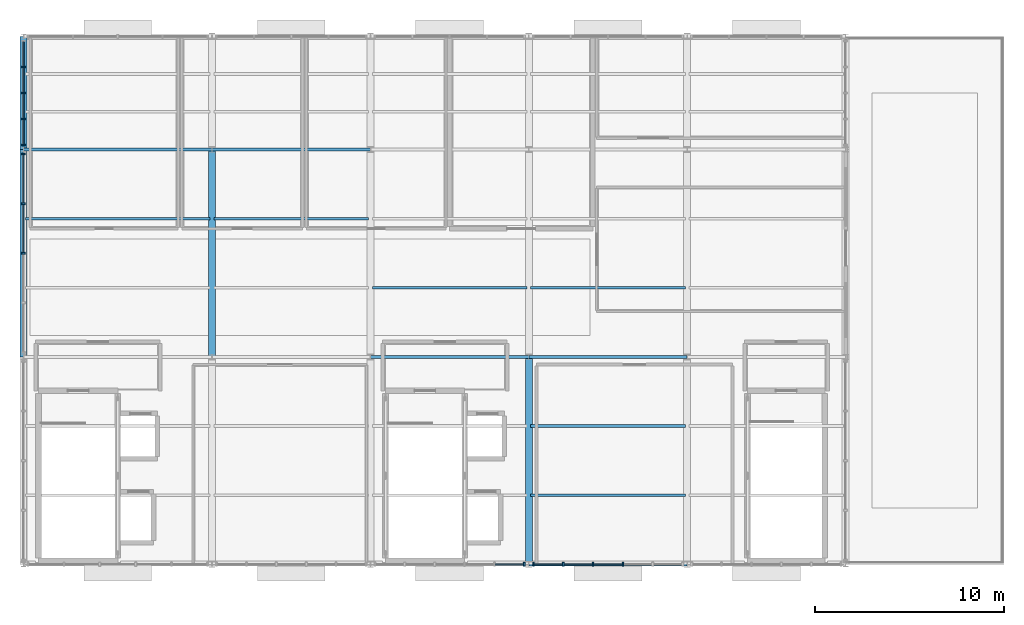
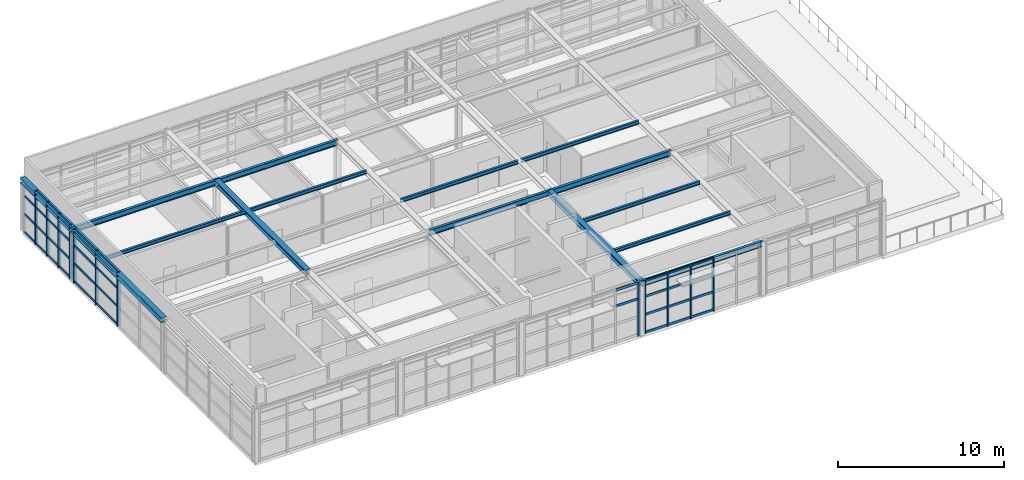
# One storey, part 6 of 18: 49 members, 15 beams, 4 elements without a shape of their own.
"""IFC4 building model written with IfcOpenShell, lengths in metres."""

from ifc_helpers import new_model, si_unit, direction, frame, origin, origin_2d, place, context, subcontext, project, spatial, rectangle, i_section, extrude, material, layer, layer_set, material_profile, profile_set, type_object, element, aggregate, save


model = new_model("IFC4")

# Units and contexts
model_context = context("Model", 3, precision=1e-05, world=origin(), true_north=direction((0.0, 1.0)))
body_context = subcontext(model_context, "Body", "Model", "MODEL_VIEW")
ifc_project = project(units=[si_unit("LENGTHUNIT", "METRE"), si_unit("AREAUNIT", "SQUARE_METRE"), si_unit("VOLUMEUNIT", "CUBIC_METRE"), si_unit("PLANEANGLEUNIT", "RADIAN"), si_unit("MASSUNIT", "GRAM", prefix="KILO")], contexts=[model_context])

# Site, building, storey
site_placement = place(None, origin())
site = spatial("IfcSite", under=ifc_project, at=site_placement, CompositionType="ELEMENT")
building_placement = place(site_placement, origin())
building = spatial("IfcBuilding", under=site, at=building_placement, Name="Sitalva Quay Ferry Terminal", CompositionType="ELEMENT")
storey_placement = place(building_placement, frame((0.0, 0.0, 18.60009765625)))
storey = spatial("IfcBuildingStorey", under=building, at=storey_placement, Name="L05", CompositionType="ELEMENT", Elevation=18.60009765625)

# Beams
ifc_material_1 = material(Name="Structural Steel S355JR", Category="steel")
ifc_material_profile_1 = material_profile(ifc_material_1, i_section(OverallWidth=0.368896484375, OverallDepth=0.35595703125, WebThickness=0.01123046875, FlangeThickness=0.01806640625, FilletRadius=0.014892578125, at=origin_2d()), Name="W360x134")
ifc_profile_set_1 = profile_set([ifc_material_profile_1], Name="Structural Steel S355JR")
beam_type_1 = type_object("IfcBeamType", Name="Beam_W360x134", PredefinedType="BEAM", material=ifc_profile_set_1)
beam_1_placement = place(storey_placement, frame((74.0, 89.0, 3.781982421875), z_axis=(0.0, 1.0, 0.0), x_axis=(-1.0, 0.0, 0.0)))
element("IfcBeam", 1, at=beam_1_placement, inside=storey, type_object=beam_type_1, Name="L05 Primary Y girder 1421", PredefinedType="BEAM", context=body_context, shape_type="SweptSolid", body=[
    extrude(i_section(OverallWidth=0.368896484375, OverallDepth=0.35595703125, WebThickness=0.01123046875, FlangeThickness=0.01806640625, FilletRadius=0.014892578125, at=origin_2d()), origin(), (0.0, 0.0, 1.0), 11.0),
])
beam_2_placement = place(storey_placement, frame((74.0, 100.0, 3.781982421875), z_axis=(0.0, 1.0, 0.0), x_axis=(-1.0, 0.0, 0.0)))
element("IfcBeam", 2, at=beam_2_placement, inside=storey, type_object=beam_type_1, Name="L05 Primary Y girder 1422", PredefinedType="BEAM", context=body_context, shape_type="SweptSolid", body=[
    extrude(i_section(OverallWidth=0.368896484375, OverallDepth=0.35595703125, WebThickness=0.01123046875, FlangeThickness=0.01806640625, FilletRadius=0.014892578125, at=origin_2d()), origin(), (0.0, 0.0, 1.0), 6.0),
])
for number, where, z_axis, x_axis, name in (
    (3, (84.0, 89.0, 3.781982421875), (0.0, 1.0, 0.0), (-1.0, 0.0, 0.0), "L05 Primary Y girder 1424"),
    (4, (100.800048828125, 78.0, 3.781982421875), (0.0, 1.0, 0.0), (-1.0, 0.0, 0.0), "L05 Primary Y girder 1429"),
):
    element("IfcBeam", number, at=place(storey_placement, frame(where, z_axis=z_axis, x_axis=x_axis)), inside=storey, type_object=beam_type_1, Name=name, PredefinedType="BEAM", context=body_context, shape_type="SweptSolid", body=[
        extrude(i_section(OverallWidth=0.368896484375, OverallDepth=0.35595703125, WebThickness=0.01123046875, FlangeThickness=0.01806640625, FilletRadius=0.014892578125, at=origin_2d()), origin(), (0.0, 0.0, 1.0), 11.0),
    ])
ifc_material_2 = material(Name="Structural Steel S355JR", Category="steel")
ifc_material_profile_2 = material_profile(ifc_material_2, i_section(OverallWidth=0.178955078125, OverallDepth=0.409912109375, WebThickness=0.0087890625, FlangeThickness=0.014404296875, FilletRadius=0.012939453125, at=origin_2d()), Name="W410x67")
ifc_profile_set_2 = profile_set([ifc_material_profile_2], Name="Structural Steel S355JR")
beam_type_2 = type_object("IfcBeamType", Name="Beam_W410x67", PredefinedType="BEAM", material=ifc_profile_set_2)
beam_3_placement = place(storey_placement, frame((100.800048828125, 78.0, 3.7548828125), z_axis=(1.0, 0.0, 0.0), x_axis=(0.0, 1.0, 0.0)))
element("IfcBeam", 5, at=beam_3_placement, inside=storey, type_object=beam_type_2, Name="L05 Primary X girder 1403", PredefinedType="BEAM", context=body_context, shape_type="SweptSolid", body=[
    extrude(i_section(OverallWidth=0.178955078125, OverallDepth=0.409912109375, WebThickness=0.0087890625, FlangeThickness=0.014404296875, FilletRadius=0.012939453125, at=origin_2d()), origin(), (0.0, 0.0, 1.0), 8.39990234375),
])
beam_4_placement = place(storey_placement, frame((92.39990234375, 89.0, 3.7548828125), z_axis=(1.0, 0.0, 0.0), x_axis=(0.0, 1.0, 0.0)))
element("IfcBeam", 6, at=beam_4_placement, inside=storey, type_object=beam_type_2, Name="L05 Primary X girder 1407", PredefinedType="BEAM", context=body_context, shape_type="SweptSolid", body=[
    extrude(i_section(OverallWidth=0.178955078125, OverallDepth=0.409912109375, WebThickness=0.0087890625, FlangeThickness=0.014404296875, FilletRadius=0.012939453125, at=origin_2d()), origin(), (0.0, 0.0, 1.0), 8.400146484375),
])
beam_5_placement = place(storey_placement, frame((100.800048828125, 89.0, 3.7548828125), z_axis=(1.0, 0.0, 0.0), x_axis=(0.0, 1.0, 0.0)))
element("IfcBeam", 7, at=beam_5_placement, inside=storey, type_object=beam_type_2, Name="L05 Primary X girder 1408", PredefinedType="BEAM", context=body_context, shape_type="SweptSolid", body=[
    extrude(i_section(OverallWidth=0.178955078125, OverallDepth=0.409912109375, WebThickness=0.0087890625, FlangeThickness=0.014404296875, FilletRadius=0.012939453125, at=origin_2d()), origin(), (0.0, 0.0, 1.0), 8.39990234375),
])
beam_6_placement = place(storey_placement, frame((74.0, 100.0, 3.7548828125), z_axis=(1.0, 0.0, 0.0), x_axis=(0.0, 1.0, 0.0)))
element("IfcBeam", 8, at=beam_6_placement, inside=storey, type_object=beam_type_2, Name="L05 Primary X girder 1410", PredefinedType="BEAM", context=body_context, shape_type="SweptSolid", body=[
    extrude(i_section(OverallWidth=0.178955078125, OverallDepth=0.409912109375, WebThickness=0.0087890625, FlangeThickness=0.014404296875, FilletRadius=0.012939453125, at=origin_2d()), origin(), (0.0, 0.0, 1.0), 10.0),
])
beam_7_placement = place(storey_placement, frame((84.0, 100.0, 3.7548828125), z_axis=(1.0, 0.0, 0.0), x_axis=(0.0, 1.0, 0.0)))
element("IfcBeam", 9, at=beam_7_placement, inside=storey, type_object=beam_type_2, Name="L05 Primary X girder 1411", PredefinedType="BEAM", context=body_context, shape_type="SweptSolid", body=[
    extrude(i_section(OverallWidth=0.178955078125, OverallDepth=0.409912109375, WebThickness=0.0087890625, FlangeThickness=0.014404296875, FilletRadius=0.012939453125, at=origin_2d()), origin(), (0.0, 0.0, 1.0), 8.39990234375),
])
ifc_material_3 = material(Name="Structural Steel S355JR", Category="steel")
ifc_material_profile_3 = material_profile(ifc_material_3, i_section(OverallWidth=0.14697265625, OverallDepth=0.261962890625, WebThickness=0.006591796875, FlangeThickness=0.01123046875, FilletRadius=0.010009765625, at=origin_2d()), Name="W250x39")
ifc_profile_set_3 = profile_set([ifc_material_profile_3], Name="Structural Steel S355JR")
beam_type_3 = type_object("IfcBeamType", Name="Joist_W250x39", PredefinedType="JOIST", material=ifc_profile_set_3)
for number, where, z_axis, x_axis, name in (
    (10, (100.89990234375, 81.666748046875, 3.828857421875), (1.0, 0.0, 0.0), (0.0, 1.0, 0.0), "L05 Secondary joist 1441"),
    (11, (100.89990234375, 85.333251953125, 3.828857421875), (1.0, 0.0, 0.0), (0.0, 1.0, 0.0), "L05 Secondary joist 1446"),
):
    element("IfcBeam", number, at=place(storey_placement, frame(where, z_axis=z_axis, x_axis=x_axis)), inside=storey, type_object=beam_type_3, Name=name, PredefinedType="JOIST", context=body_context, shape_type="SweptSolid", body=[
        extrude(i_section(OverallWidth=0.14697265625, OverallDepth=0.261962890625, WebThickness=0.006591796875, FlangeThickness=0.01123046875, FilletRadius=0.010009765625, at=origin_2d()), origin(), (0.0, 0.0, 1.0), 8.2001953125),
    ])
beam_8_placement = place(storey_placement, frame((92.5, 92.666748046875, 3.828857421875), z_axis=(1.0, 0.0, 0.0), x_axis=(0.0, 1.0, 0.0)))
element("IfcBeam", 12, at=beam_8_placement, inside=storey, type_object=beam_type_3, Name="L05 Secondary joist 1450", PredefinedType="JOIST", context=body_context, shape_type="SweptSolid", body=[
    extrude(i_section(OverallWidth=0.14697265625, OverallDepth=0.261962890625, WebThickness=0.006591796875, FlangeThickness=0.01123046875, FilletRadius=0.010009765625, at=origin_2d()), origin(), (0.0, 0.0, 1.0), 8.199951171875),
])
beam_9_placement = place(storey_placement, frame((100.89990234375, 92.666748046875, 3.828857421875), z_axis=(1.0, 0.0, 0.0), x_axis=(0.0, 1.0, 0.0)))
element("IfcBeam", 13, at=beam_9_placement, inside=storey, type_object=beam_type_3, Name="L05 Secondary joist 1451", PredefinedType="JOIST", context=body_context, shape_type="SweptSolid", body=[
    extrude(i_section(OverallWidth=0.14697265625, OverallDepth=0.261962890625, WebThickness=0.006591796875, FlangeThickness=0.01123046875, FilletRadius=0.010009765625, at=origin_2d()), origin(), (0.0, 0.0, 1.0), 8.2001953125),
])
beam_10_placement = place(storey_placement, frame((74.10009765625, 96.333251953125, 3.828857421875), z_axis=(1.0, 0.0, 0.0), x_axis=(0.0, 1.0, 0.0)))
element("IfcBeam", 14, at=beam_10_placement, inside=storey, type_object=beam_type_3, Name="L05 Secondary joist 1453", PredefinedType="JOIST", context=body_context, shape_type="SweptSolid", body=[
    extrude(i_section(OverallWidth=0.14697265625, OverallDepth=0.261962890625, WebThickness=0.006591796875, FlangeThickness=0.01123046875, FilletRadius=0.010009765625, at=origin_2d()), origin(), (0.0, 0.0, 1.0), 9.7998046875),
])
beam_11_placement = place(storey_placement, frame((84.10009765625, 96.333251953125, 3.828857421875), z_axis=(1.0, 0.0, 0.0), x_axis=(0.0, 1.0, 0.0)))
element("IfcBeam", 15, at=beam_11_placement, inside=storey, type_object=beam_type_3, Name="L05 Secondary joist 1454", PredefinedType="JOIST", context=body_context, shape_type="SweptSolid", body=[
    extrude(i_section(OverallWidth=0.14697265625, OverallDepth=0.261962890625, WebThickness=0.006591796875, FlangeThickness=0.01123046875, FilletRadius=0.010009765625, at=origin_2d()), origin(), (0.0, 0.0, 1.0), 8.199951171875),
])

# Curtain wall, members
ifc_material_4 = material(Name="Anodised Aluminium & Low-E Glazing", Category="aluminium")
ifc_layer = layer(ifc_material_4, 0.159912109375)
ifc_layer_set = layer_set([ifc_layer], Name="Anodised Aluminium & Low-E Glazing")
curtain_wall_type = type_object("IfcCurtainWallType", Name="CW_VTS_Sloped", PredefinedType="USERDEFINED", material=ifc_layer_set)
curtain_wall_1_placement = place(storey_placement, origin())
curtain_wall_1 = element("IfcCurtainWall", 16, at=curtain_wall_1_placement, inside=storey, type_object=curtain_wall_type, Name="L05 VTS west panoramic glazing (CW-L05-151)", ObjectType="CURTAIN_WALL", PredefinedType="USERDEFINED")
ifc_material_5 = material(Name="Anodised Aluminium 6063-T6", Category="aluminium")
ifc_material_profile_4 = material_profile(ifc_material_5, rectangle(XDim=0.090087890625, YDim=0.199951171875, at=origin_2d()), Name="ALU90x200")
ifc_profile_set_4 = profile_set([ifc_material_profile_4], Name="Anodised Aluminium 6063-T6")
member_type_1 = type_object("IfcMemberType", Name="Mullion_Alu_90x200", PredefinedType="MULLION", material=ifc_profile_set_4)
member_1_placement = place(storey_placement, frame((74.0, 94.5, 0.0), z_axis=(0.0, 0.0, 1.0), x_axis=(0.0, 1.0, 0.0)))
member_1 = element("IfcMember", 17, at=member_1_placement, type_object=member_type_1, Name="CW-L05-151-M2", PredefinedType="MULLION", context=body_context, shape_type="SweptSolid", body=[
    extrude(rectangle(XDim=0.090087890625, YDim=0.199951171875, at=origin_2d()), origin(), (0.0, 0.0, 1.0), 3.9599609375),
])
member_2_placement = place(storey_placement, frame((74.0, 97.1298828125, 0.0), z_axis=(0.0, 0.0, 1.0), x_axis=(0.0, 1.0, 0.0)))
member_2 = element("IfcMember", 18, at=member_2_placement, type_object=member_type_1, Name="CW-L05-151-M3", PredefinedType="MULLION", context=body_context, shape_type="SweptSolid", body=[
    extrude(rectangle(XDim=0.090087890625, YDim=0.199951171875, at=origin_2d()), origin(), (0.0, 0.0, 1.0), 3.9599609375),
])
member_3_placement = place(storey_placement, frame((74.0, 99.760009765625, 0.0), z_axis=(0.0, 0.0, 1.0), x_axis=(0.0, 1.0, 0.0)))
member_3 = element("IfcMember", 19, at=member_3_placement, type_object=member_type_1, Name="CW-L05-151-M4", PredefinedType="MULLION", context=body_context, shape_type="SweptSolid", body=[
    extrude(rectangle(XDim=0.090087890625, YDim=0.199951171875, at=origin_2d()), origin(), (0.0, 0.0, 1.0), 3.9599609375),
])

curtain_wall_2_placement = place(storey_placement, origin())
curtain_wall_2 = element("IfcCurtainWall", 20, at=curtain_wall_2_placement, inside=storey, type_object=curtain_wall_type, Name="L05 VTS west panoramic glazing (CW-L05-152)", ObjectType="CURTAIN_WALL", PredefinedType="USERDEFINED")
member_4_placement = place(storey_placement, frame((74.0, 100.239990234375, 0.0), z_axis=(0.0, 0.0, 1.0), x_axis=(0.0, 1.0, 0.0)))
member_4 = element("IfcMember", 21, at=member_4_placement, type_object=member_type_1, Name="CW-L05-152-M0", PredefinedType="MULLION", context=body_context, shape_type="SweptSolid", body=[
    extrude(rectangle(XDim=0.090087890625, YDim=0.199951171875, at=origin_2d()), origin(), (0.0, 0.0, 1.0), 3.9599609375),
])
member_5_placement = place(storey_placement, frame((74.0, 101.6201171875, 0.0), z_axis=(0.0, 0.0, 1.0), x_axis=(0.0, 1.0, 0.0)))
member_5 = element("IfcMember", 22, at=member_5_placement, type_object=member_type_1, Name="CW-L05-152-M1", PredefinedType="MULLION", context=body_context, shape_type="SweptSolid", body=[
    extrude(rectangle(XDim=0.090087890625, YDim=0.199951171875, at=origin_2d()), origin(), (0.0, 0.0, 1.0), 3.9599609375),
])
member_6_placement = place(storey_placement, frame((74.0, 103.0, 0.0), z_axis=(0.0, 0.0, 1.0), x_axis=(0.0, 1.0, 0.0)))
member_6 = element("IfcMember", 23, at=member_6_placement, type_object=member_type_1, Name="CW-L05-152-M2", PredefinedType="MULLION", context=body_context, shape_type="SweptSolid", body=[
    extrude(rectangle(XDim=0.090087890625, YDim=0.199951171875, at=origin_2d()), origin(), (0.0, 0.0, 1.0), 3.9599609375),
])
member_7_placement = place(storey_placement, frame((74.0, 104.3798828125, 0.0), z_axis=(0.0, 0.0, 1.0), x_axis=(0.0, 1.0, 0.0)))
member_7 = element("IfcMember", 24, at=member_7_placement, type_object=member_type_1, Name="CW-L05-152-M3", PredefinedType="MULLION", context=body_context, shape_type="SweptSolid", body=[
    extrude(rectangle(XDim=0.090087890625, YDim=0.199951171875, at=origin_2d()), origin(), (0.0, 0.0, 1.0), 3.9599609375),
])

# Curtain wall, member
curtain_wall_3_placement = place(storey_placement, origin())
curtain_wall_3 = element("IfcCurtainWall", 25, at=curtain_wall_3_placement, inside=storey, type_object=curtain_wall_type, Name="L05 VTS river-view panoramic south glazing (CW-L05-158)", ObjectType="CURTAIN_WALL", PredefinedType="USERDEFINED")
member_8_placement = place(storey_placement, frame((100.56005859375, 78.0, 0.0), z_axis=(0.0, 0.0, 1.0), x_axis=(1.0, 0.0, 0.0)))
member_8 = element("IfcMember", 26, at=member_8_placement, type_object=member_type_1, Name="CW-L05-158-M5", PredefinedType="MULLION", context=body_context, shape_type="SweptSolid", body=[
    extrude(rectangle(XDim=0.090087890625, YDim=0.199951171875, at=origin_2d()), origin(), (0.0, 0.0, 1.0), 3.9599609375),
])

# Curtain wall, members
curtain_wall_4_placement = place(storey_placement, origin())
curtain_wall_4 = element("IfcCurtainWall", 27, at=curtain_wall_4_placement, inside=storey, type_object=curtain_wall_type, Name="L05 VTS river-view panoramic south glazing (CW-L05-160)", ObjectType="CURTAIN_WALL", PredefinedType="USERDEFINED")
member_9_placement = place(storey_placement, frame((101.0400390625, 78.0, 0.0), z_axis=(0.0, 0.0, 1.0), x_axis=(1.0, 0.0, 0.0)))
member_9 = element("IfcMember", 28, at=member_9_placement, type_object=member_type_1, Name="CW-L05-160-M0", PredefinedType="MULLION", context=body_context, shape_type="SweptSolid", body=[
    extrude(rectangle(XDim=0.090087890625, YDim=0.199951171875, at=origin_2d()), origin(), (0.0, 0.0, 1.0), 3.9599609375),
])
member_10_placement = place(storey_placement, frame((102.6240234375, 78.0, 0.0), z_axis=(0.0, 0.0, 1.0), x_axis=(1.0, 0.0, 0.0)))
member_10 = element("IfcMember", 29, at=member_10_placement, type_object=member_type_1, Name="CW-L05-160-M1", PredefinedType="MULLION", context=body_context, shape_type="SweptSolid", body=[
    extrude(rectangle(XDim=0.090087890625, YDim=0.199951171875, at=origin_2d()), origin(), (0.0, 0.0, 1.0), 3.9599609375),
])
member_11_placement = place(storey_placement, frame((104.2080078125, 78.0, 0.0), z_axis=(0.0, 0.0, 1.0), x_axis=(1.0, 0.0, 0.0)))
member_11 = element("IfcMember", 30, at=member_11_placement, type_object=member_type_1, Name="CW-L05-160-M2", PredefinedType="MULLION", context=body_context, shape_type="SweptSolid", body=[
    extrude(rectangle(XDim=0.090087890625, YDim=0.199951171875, at=origin_2d()), origin(), (0.0, 0.0, 1.0), 3.9599609375),
])
member_12_placement = place(storey_placement, frame((105.7919921875, 78.0, 0.0), z_axis=(0.0, 0.0, 1.0), x_axis=(1.0, 0.0, 0.0)))
member_12 = element("IfcMember", 31, at=member_12_placement, type_object=member_type_1, Name="CW-L05-160-M3", PredefinedType="MULLION", context=body_context, shape_type="SweptSolid", body=[
    extrude(rectangle(XDim=0.090087890625, YDim=0.199951171875, at=origin_2d()), origin(), (0.0, 0.0, 1.0), 3.9599609375),
])

# Member
ifc_material_6 = material(Name="Anodised Aluminium 6063-T6", Category="aluminium")
ifc_material_profile_5 = material_profile(ifc_material_6, rectangle(XDim=0.080078125, YDim=0.1650390625, at=origin_2d()), Name="ALU80x165")
ifc_profile_set_5 = profile_set([ifc_material_profile_5], Name="Anodised Aluminium 6063-T6")
member_type_2 = type_object("IfcMemberType", Name="Transom_Alu_80x165", PredefinedType="MULLION", material=ifc_profile_set_5)
member_13_placement = place(storey_placement, frame((74.0, 94.544921875, 0.08251953125), z_axis=(0.0, 1.0, 0.0), x_axis=(-1.0, 0.0, 0.0)))
member_13 = element("IfcMember", 32, at=member_13_placement, type_object=member_type_2, Name="CW-L05-151-T2-0", ObjectType="TRANSOM", PredefinedType="USERDEFINED", context=body_context, shape_type="SweptSolid", body=[
    extrude(rectangle(XDim=0.080078125, YDim=0.1650390625, at=origin_2d()), origin(), (0.0, 0.0, 1.0), 2.5400390625),
])

member_14_placement = place(storey_placement, frame((74.0, 94.544921875, 1.40234375), z_axis=(0.0, 1.0, 0.0), x_axis=(-1.0, 0.0, 0.0)))
member_14 = element("IfcMember", 33, at=member_14_placement, type_object=member_type_2, Name="CW-L05-151-T2-1", ObjectType="TRANSOM", PredefinedType="USERDEFINED", context=body_context, shape_type="SweptSolid", body=[
    extrude(rectangle(XDim=0.080078125, YDim=0.1650390625, at=origin_2d()), origin(), (0.0, 0.0, 1.0), 2.5400390625),
])

member_15_placement = place(storey_placement, frame((74.0, 94.544921875, 2.722412109375), z_axis=(0.0, 1.0, 0.0), x_axis=(-1.0, 0.0, 0.0)))
member_15 = element("IfcMember", 34, at=member_15_placement, type_object=member_type_2, Name="CW-L05-151-T2-2", ObjectType="TRANSOM", PredefinedType="USERDEFINED", context=body_context, shape_type="SweptSolid", body=[
    extrude(rectangle(XDim=0.080078125, YDim=0.1650390625, at=origin_2d()), origin(), (0.0, 0.0, 1.0), 2.5400390625),
])

member_16_placement = place(storey_placement, frame((74.0, 94.544921875, 3.87744140625), z_axis=(0.0, 1.0, 0.0), x_axis=(-1.0, 0.0, 0.0)))
member_16 = element("IfcMember", 35, at=member_16_placement, type_object=member_type_2, Name="CW-L05-151-T2-3", ObjectType="TRANSOM", PredefinedType="USERDEFINED", context=body_context, shape_type="SweptSolid", body=[
    extrude(rectangle(XDim=0.080078125, YDim=0.1650390625, at=origin_2d()), origin(), (0.0, 0.0, 1.0), 2.5400390625),
])

member_17_placement = place(storey_placement, frame((74.0, 97.175048828125, 0.08251953125), z_axis=(0.0, 1.0, 0.0), x_axis=(-1.0, 0.0, 0.0)))
member_17 = element("IfcMember", 36, at=member_17_placement, type_object=member_type_2, Name="CW-L05-151-T3-0", ObjectType="TRANSOM", PredefinedType="USERDEFINED", context=body_context, shape_type="SweptSolid", body=[
    extrude(rectangle(XDim=0.080078125, YDim=0.1650390625, at=origin_2d()), origin(), (0.0, 0.0, 1.0), 2.5400390625),
])

member_18_placement = place(storey_placement, frame((74.0, 97.175048828125, 1.40234375), z_axis=(0.0, 1.0, 0.0), x_axis=(-1.0, 0.0, 0.0)))
member_18 = element("IfcMember", 37, at=member_18_placement, type_object=member_type_2, Name="CW-L05-151-T3-1", ObjectType="TRANSOM", PredefinedType="USERDEFINED", context=body_context, shape_type="SweptSolid", body=[
    extrude(rectangle(XDim=0.080078125, YDim=0.1650390625, at=origin_2d()), origin(), (0.0, 0.0, 1.0), 2.5400390625),
])

member_19_placement = place(storey_placement, frame((74.0, 97.175048828125, 2.722412109375), z_axis=(0.0, 1.0, 0.0), x_axis=(-1.0, 0.0, 0.0)))
member_19 = element("IfcMember", 38, at=member_19_placement, type_object=member_type_2, Name="CW-L05-151-T3-2", ObjectType="TRANSOM", PredefinedType="USERDEFINED", context=body_context, shape_type="SweptSolid", body=[
    extrude(rectangle(XDim=0.080078125, YDim=0.1650390625, at=origin_2d()), origin(), (0.0, 0.0, 1.0), 2.5400390625),
])

member_20_placement = place(storey_placement, frame((74.0, 97.175048828125, 3.87744140625), z_axis=(0.0, 1.0, 0.0), x_axis=(-1.0, 0.0, 0.0)))
member_20 = element("IfcMember", 39, at=member_20_placement, type_object=member_type_2, Name="CW-L05-151-T3-3", ObjectType="TRANSOM", PredefinedType="USERDEFINED", context=body_context, shape_type="SweptSolid", body=[
    extrude(rectangle(XDim=0.080078125, YDim=0.1650390625, at=origin_2d()), origin(), (0.0, 0.0, 1.0), 2.5400390625),
])

aggregate(curtain_wall_1, [member_1, member_2, member_3, member_13, member_14, member_15, member_16, member_17, member_18, member_19, member_20])

member_21_placement = place(storey_placement, frame((74.0, 100.284912109375, 0.08251953125), z_axis=(0.0, 1.0, 0.0), x_axis=(-1.0, 0.0, 0.0)))
member_21 = element("IfcMember", 40, at=member_21_placement, type_object=member_type_2, Name="CW-L05-152-T0-0", ObjectType="TRANSOM", PredefinedType="USERDEFINED", context=body_context, shape_type="SweptSolid", body=[
    extrude(rectangle(XDim=0.080078125, YDim=0.1650390625, at=origin_2d()), origin(), (0.0, 0.0, 1.0), 1.2900390625),
])

member_22_placement = place(storey_placement, frame((74.0, 100.284912109375, 1.40234375), z_axis=(0.0, 1.0, 0.0), x_axis=(-1.0, 0.0, 0.0)))
member_22 = element("IfcMember", 41, at=member_22_placement, type_object=member_type_2, Name="CW-L05-152-T0-1", ObjectType="TRANSOM", PredefinedType="USERDEFINED", context=body_context, shape_type="SweptSolid", body=[
    extrude(rectangle(XDim=0.080078125, YDim=0.1650390625, at=origin_2d()), origin(), (0.0, 0.0, 1.0), 1.2900390625),
])

member_23_placement = place(storey_placement, frame((74.0, 100.284912109375, 2.722412109375), z_axis=(0.0, 1.0, 0.0), x_axis=(-1.0, 0.0, 0.0)))
member_23 = element("IfcMember", 42, at=member_23_placement, type_object=member_type_2, Name="CW-L05-152-T0-2", ObjectType="TRANSOM", PredefinedType="USERDEFINED", context=body_context, shape_type="SweptSolid", body=[
    extrude(rectangle(XDim=0.080078125, YDim=0.1650390625, at=origin_2d()), origin(), (0.0, 0.0, 1.0), 1.2900390625),
])

member_24_placement = place(storey_placement, frame((74.0, 100.284912109375, 3.87744140625), z_axis=(0.0, 1.0, 0.0), x_axis=(-1.0, 0.0, 0.0)))
member_24 = element("IfcMember", 43, at=member_24_placement, type_object=member_type_2, Name="CW-L05-152-T0-3", ObjectType="TRANSOM", PredefinedType="USERDEFINED", context=body_context, shape_type="SweptSolid", body=[
    extrude(rectangle(XDim=0.080078125, YDim=0.1650390625, at=origin_2d()), origin(), (0.0, 0.0, 1.0), 1.2900390625),
])

member_25_placement = place(storey_placement, frame((74.0, 101.6650390625, 0.08251953125), z_axis=(0.0, 1.0, 0.0), x_axis=(-1.0, 0.0, 0.0)))
member_25 = element("IfcMember", 44, at=member_25_placement, type_object=member_type_2, Name="CW-L05-152-T1-0", ObjectType="TRANSOM", PredefinedType="USERDEFINED", context=body_context, shape_type="SweptSolid", body=[
    extrude(rectangle(XDim=0.080078125, YDim=0.1650390625, at=origin_2d()), origin(), (0.0, 0.0, 1.0), 1.2900390625),
])

member_26_placement = place(storey_placement, frame((74.0, 101.6650390625, 1.40234375), z_axis=(0.0, 1.0, 0.0), x_axis=(-1.0, 0.0, 0.0)))
member_26 = element("IfcMember", 45, at=member_26_placement, type_object=member_type_2, Name="CW-L05-152-T1-1", ObjectType="TRANSOM", PredefinedType="USERDEFINED", context=body_context, shape_type="SweptSolid", body=[
    extrude(rectangle(XDim=0.080078125, YDim=0.1650390625, at=origin_2d()), origin(), (0.0, 0.0, 1.0), 1.2900390625),
])

member_27_placement = place(storey_placement, frame((74.0, 101.6650390625, 2.722412109375), z_axis=(0.0, 1.0, 0.0), x_axis=(-1.0, 0.0, 0.0)))
member_27 = element("IfcMember", 46, at=member_27_placement, type_object=member_type_2, Name="CW-L05-152-T1-2", ObjectType="TRANSOM", PredefinedType="USERDEFINED", context=body_context, shape_type="SweptSolid", body=[
    extrude(rectangle(XDim=0.080078125, YDim=0.1650390625, at=origin_2d()), origin(), (0.0, 0.0, 1.0), 1.2900390625),
])

member_28_placement = place(storey_placement, frame((74.0, 101.6650390625, 3.87744140625), z_axis=(0.0, 1.0, 0.0), x_axis=(-1.0, 0.0, 0.0)))
member_28 = element("IfcMember", 47, at=member_28_placement, type_object=member_type_2, Name="CW-L05-152-T1-3", ObjectType="TRANSOM", PredefinedType="USERDEFINED", context=body_context, shape_type="SweptSolid", body=[
    extrude(rectangle(XDim=0.080078125, YDim=0.1650390625, at=origin_2d()), origin(), (0.0, 0.0, 1.0), 1.2900390625),
])

member_29_placement = place(storey_placement, frame((74.0, 103.044921875, 0.08251953125), z_axis=(0.0, 1.0, 0.0), x_axis=(-1.0, 0.0, 0.0)))
member_29 = element("IfcMember", 48, at=member_29_placement, type_object=member_type_2, Name="CW-L05-152-T2-0", ObjectType="TRANSOM", PredefinedType="USERDEFINED", context=body_context, shape_type="SweptSolid", body=[
    extrude(rectangle(XDim=0.080078125, YDim=0.1650390625, at=origin_2d()), origin(), (0.0, 0.0, 1.0), 1.2900390625),
])

member_30_placement = place(storey_placement, frame((74.0, 103.044921875, 1.40234375), z_axis=(0.0, 1.0, 0.0), x_axis=(-1.0, 0.0, 0.0)))
member_30 = element("IfcMember", 49, at=member_30_placement, type_object=member_type_2, Name="CW-L05-152-T2-1", ObjectType="TRANSOM", PredefinedType="USERDEFINED", context=body_context, shape_type="SweptSolid", body=[
    extrude(rectangle(XDim=0.080078125, YDim=0.1650390625, at=origin_2d()), origin(), (0.0, 0.0, 1.0), 1.2900390625),
])

member_31_placement = place(storey_placement, frame((74.0, 103.044921875, 2.722412109375), z_axis=(0.0, 1.0, 0.0), x_axis=(-1.0, 0.0, 0.0)))
member_31 = element("IfcMember", 50, at=member_31_placement, type_object=member_type_2, Name="CW-L05-152-T2-2", ObjectType="TRANSOM", PredefinedType="USERDEFINED", context=body_context, shape_type="SweptSolid", body=[
    extrude(rectangle(XDim=0.080078125, YDim=0.1650390625, at=origin_2d()), origin(), (0.0, 0.0, 1.0), 1.2900390625),
])

member_32_placement = place(storey_placement, frame((74.0, 103.044921875, 3.87744140625), z_axis=(0.0, 1.0, 0.0), x_axis=(-1.0, 0.0, 0.0)))
member_32 = element("IfcMember", 51, at=member_32_placement, type_object=member_type_2, Name="CW-L05-152-T2-3", ObjectType="TRANSOM", PredefinedType="USERDEFINED", context=body_context, shape_type="SweptSolid", body=[
    extrude(rectangle(XDim=0.080078125, YDim=0.1650390625, at=origin_2d()), origin(), (0.0, 0.0, 1.0), 1.2900390625),
])

member_33_placement = place(storey_placement, frame((74.0, 104.425048828125, 0.08251953125), z_axis=(0.0, 1.0, 0.0), x_axis=(-1.0, 0.0, 0.0)))
member_33 = element("IfcMember", 52, at=member_33_placement, type_object=member_type_2, Name="CW-L05-152-T3-0", ObjectType="TRANSOM", PredefinedType="USERDEFINED", context=body_context, shape_type="SweptSolid", body=[
    extrude(rectangle(XDim=0.080078125, YDim=0.1650390625, at=origin_2d()), origin(), (0.0, 0.0, 1.0), 1.2900390625),
])

member_34_placement = place(storey_placement, frame((74.0, 104.425048828125, 1.40234375), z_axis=(0.0, 1.0, 0.0), x_axis=(-1.0, 0.0, 0.0)))
member_34 = element("IfcMember", 53, at=member_34_placement, type_object=member_type_2, Name="CW-L05-152-T3-1", ObjectType="TRANSOM", PredefinedType="USERDEFINED", context=body_context, shape_type="SweptSolid", body=[
    extrude(rectangle(XDim=0.080078125, YDim=0.1650390625, at=origin_2d()), origin(), (0.0, 0.0, 1.0), 1.2900390625),
])

member_35_placement = place(storey_placement, frame((74.0, 104.425048828125, 2.722412109375), z_axis=(0.0, 1.0, 0.0), x_axis=(-1.0, 0.0, 0.0)))
member_35 = element("IfcMember", 54, at=member_35_placement, type_object=member_type_2, Name="CW-L05-152-T3-2", ObjectType="TRANSOM", PredefinedType="USERDEFINED", context=body_context, shape_type="SweptSolid", body=[
    extrude(rectangle(XDim=0.080078125, YDim=0.1650390625, at=origin_2d()), origin(), (0.0, 0.0, 1.0), 1.2900390625),
])

aggregate(curtain_wall_2, [member_4, member_5, member_6, member_7, member_21, member_22, member_23, member_24, member_25, member_26, member_27, member_28, member_29, member_30, member_31, member_32, member_33, member_34, member_35])

member_36_placement = place(storey_placement, frame((99.02099609375, 78.0, 2.722412109375), z_axis=(1.0, 0.0, 0.0), x_axis=(0.0, 1.0, 0.0)))
member_36 = element("IfcMember", 55, at=member_36_placement, type_object=member_type_2, Name="CW-L05-158-T4-2", ObjectType="TRANSOM", PredefinedType="USERDEFINED", context=body_context, shape_type="SweptSolid", body=[
    extrude(rectangle(XDim=0.080078125, YDim=0.1650390625, at=origin_2d()), origin(), (0.0, 0.0, 1.0), 1.493896484375),
])

member_37_placement = place(storey_placement, frame((99.02099609375, 78.0, 3.87744140625), z_axis=(1.0, 0.0, 0.0), x_axis=(0.0, 1.0, 0.0)))
member_37 = element("IfcMember", 56, at=member_37_placement, type_object=member_type_2, Name="CW-L05-158-T4-3", ObjectType="TRANSOM", PredefinedType="USERDEFINED", context=body_context, shape_type="SweptSolid", body=[
    extrude(rectangle(XDim=0.080078125, YDim=0.1650390625, at=origin_2d()), origin(), (0.0, 0.0, 1.0), 1.493896484375),
])

aggregate(curtain_wall_3, [member_8, member_36, member_37])

member_38_placement = place(storey_placement, frame((101.0849609375, 78.0, 0.08251953125), z_axis=(1.0, 0.0, 0.0), x_axis=(0.0, 1.0, 0.0)))
member_38 = element("IfcMember", 57, at=member_38_placement, type_object=member_type_2, Name="CW-L05-160-T0-0", ObjectType="TRANSOM", PredefinedType="USERDEFINED", context=body_context, shape_type="SweptSolid", body=[
    extrude(rectangle(XDim=0.080078125, YDim=0.1650390625, at=origin_2d()), origin(), (0.0, 0.0, 1.0), 1.494140625),
])

member_39_placement = place(storey_placement, frame((101.0849609375, 78.0, 1.40234375), z_axis=(1.0, 0.0, 0.0), x_axis=(0.0, 1.0, 0.0)))
member_39 = element("IfcMember", 58, at=member_39_placement, type_object=member_type_2, Name="CW-L05-160-T0-1", ObjectType="TRANSOM", PredefinedType="USERDEFINED", context=body_context, shape_type="SweptSolid", body=[
    extrude(rectangle(XDim=0.080078125, YDim=0.1650390625, at=origin_2d()), origin(), (0.0, 0.0, 1.0), 1.494140625),
])

member_40_placement = place(storey_placement, frame((101.0849609375, 78.0, 2.722412109375), z_axis=(1.0, 0.0, 0.0), x_axis=(0.0, 1.0, 0.0)))
member_40 = element("IfcMember", 59, at=member_40_placement, type_object=member_type_2, Name="CW-L05-160-T0-2", ObjectType="TRANSOM", PredefinedType="USERDEFINED", context=body_context, shape_type="SweptSolid", body=[
    extrude(rectangle(XDim=0.080078125, YDim=0.1650390625, at=origin_2d()), origin(), (0.0, 0.0, 1.0), 1.494140625),
])

member_41_placement = place(storey_placement, frame((101.0849609375, 78.0, 3.87744140625), z_axis=(1.0, 0.0, 0.0), x_axis=(0.0, 1.0, 0.0)))
member_41 = element("IfcMember", 60, at=member_41_placement, type_object=member_type_2, Name="CW-L05-160-T0-3", ObjectType="TRANSOM", PredefinedType="USERDEFINED", context=body_context, shape_type="SweptSolid", body=[
    extrude(rectangle(XDim=0.080078125, YDim=0.1650390625, at=origin_2d()), origin(), (0.0, 0.0, 1.0), 1.494140625),
])

member_42_placement = place(storey_placement, frame((102.6689453125, 78.0, 0.08251953125), z_axis=(1.0, 0.0, 0.0), x_axis=(0.0, 1.0, 0.0)))
member_42 = element("IfcMember", 61, at=member_42_placement, type_object=member_type_2, Name="CW-L05-160-T1-0", ObjectType="TRANSOM", PredefinedType="USERDEFINED", context=body_context, shape_type="SweptSolid", body=[
    extrude(rectangle(XDim=0.080078125, YDim=0.1650390625, at=origin_2d()), origin(), (0.0, 0.0, 1.0), 1.494140625),
])

member_43_placement = place(storey_placement, frame((102.6689453125, 78.0, 1.40234375), z_axis=(1.0, 0.0, 0.0), x_axis=(0.0, 1.0, 0.0)))
member_43 = element("IfcMember", 62, at=member_43_placement, type_object=member_type_2, Name="CW-L05-160-T1-1", ObjectType="TRANSOM", PredefinedType="USERDEFINED", context=body_context, shape_type="SweptSolid", body=[
    extrude(rectangle(XDim=0.080078125, YDim=0.1650390625, at=origin_2d()), origin(), (0.0, 0.0, 1.0), 1.494140625),
])

member_44_placement = place(storey_placement, frame((102.6689453125, 78.0, 2.722412109375), z_axis=(1.0, 0.0, 0.0), x_axis=(0.0, 1.0, 0.0)))
member_44 = element("IfcMember", 63, at=member_44_placement, type_object=member_type_2, Name="CW-L05-160-T1-2", ObjectType="TRANSOM", PredefinedType="USERDEFINED", context=body_context, shape_type="SweptSolid", body=[
    extrude(rectangle(XDim=0.080078125, YDim=0.1650390625, at=origin_2d()), origin(), (0.0, 0.0, 1.0), 1.494140625),
])

member_45_placement = place(storey_placement, frame((102.6689453125, 78.0, 3.87744140625), z_axis=(1.0, 0.0, 0.0), x_axis=(0.0, 1.0, 0.0)))
member_45 = element("IfcMember", 64, at=member_45_placement, type_object=member_type_2, Name="CW-L05-160-T1-3", ObjectType="TRANSOM", PredefinedType="USERDEFINED", context=body_context, shape_type="SweptSolid", body=[
    extrude(rectangle(XDim=0.080078125, YDim=0.1650390625, at=origin_2d()), origin(), (0.0, 0.0, 1.0), 1.494140625),
])

member_46_placement = place(storey_placement, frame((104.2529296875, 78.0, 0.08251953125), z_axis=(1.0, 0.0, 0.0), x_axis=(0.0, 1.0, 0.0)))
member_46 = element("IfcMember", 65, at=member_46_placement, type_object=member_type_2, Name="CW-L05-160-T2-0", ObjectType="TRANSOM", PredefinedType="USERDEFINED", context=body_context, shape_type="SweptSolid", body=[
    extrude(rectangle(XDim=0.080078125, YDim=0.1650390625, at=origin_2d()), origin(), (0.0, 0.0, 1.0), 1.494140625),
])

member_47_placement = place(storey_placement, frame((104.2529296875, 78.0, 1.40234375), z_axis=(1.0, 0.0, 0.0), x_axis=(0.0, 1.0, 0.0)))
member_47 = element("IfcMember", 66, at=member_47_placement, type_object=member_type_2, Name="CW-L05-160-T2-1", ObjectType="TRANSOM", PredefinedType="USERDEFINED", context=body_context, shape_type="SweptSolid", body=[
    extrude(rectangle(XDim=0.080078125, YDim=0.1650390625, at=origin_2d()), origin(), (0.0, 0.0, 1.0), 1.494140625),
])

member_48_placement = place(storey_placement, frame((104.2529296875, 78.0, 2.722412109375), z_axis=(1.0, 0.0, 0.0), x_axis=(0.0, 1.0, 0.0)))
member_48 = element("IfcMember", 67, at=member_48_placement, type_object=member_type_2, Name="CW-L05-160-T2-2", ObjectType="TRANSOM", PredefinedType="USERDEFINED", context=body_context, shape_type="SweptSolid", body=[
    extrude(rectangle(XDim=0.080078125, YDim=0.1650390625, at=origin_2d()), origin(), (0.0, 0.0, 1.0), 1.494140625),
])

member_49_placement = place(storey_placement, frame((104.2529296875, 78.0, 3.87744140625), z_axis=(1.0, 0.0, 0.0), x_axis=(0.0, 1.0, 0.0)))
member_49 = element("IfcMember", 68, at=member_49_placement, type_object=member_type_2, Name="CW-L05-160-T2-3", ObjectType="TRANSOM", PredefinedType="USERDEFINED", context=body_context, shape_type="SweptSolid", body=[
    extrude(rectangle(XDim=0.080078125, YDim=0.1650390625, at=origin_2d()), origin(), (0.0, 0.0, 1.0), 1.494140625),
])

aggregate(curtain_wall_4, [member_9, member_10, member_11, member_12, member_38, member_39, member_40, member_41, member_42, member_43, member_44, member_45, member_46, member_47, member_48, member_49])

save(model, "model.ifc")
